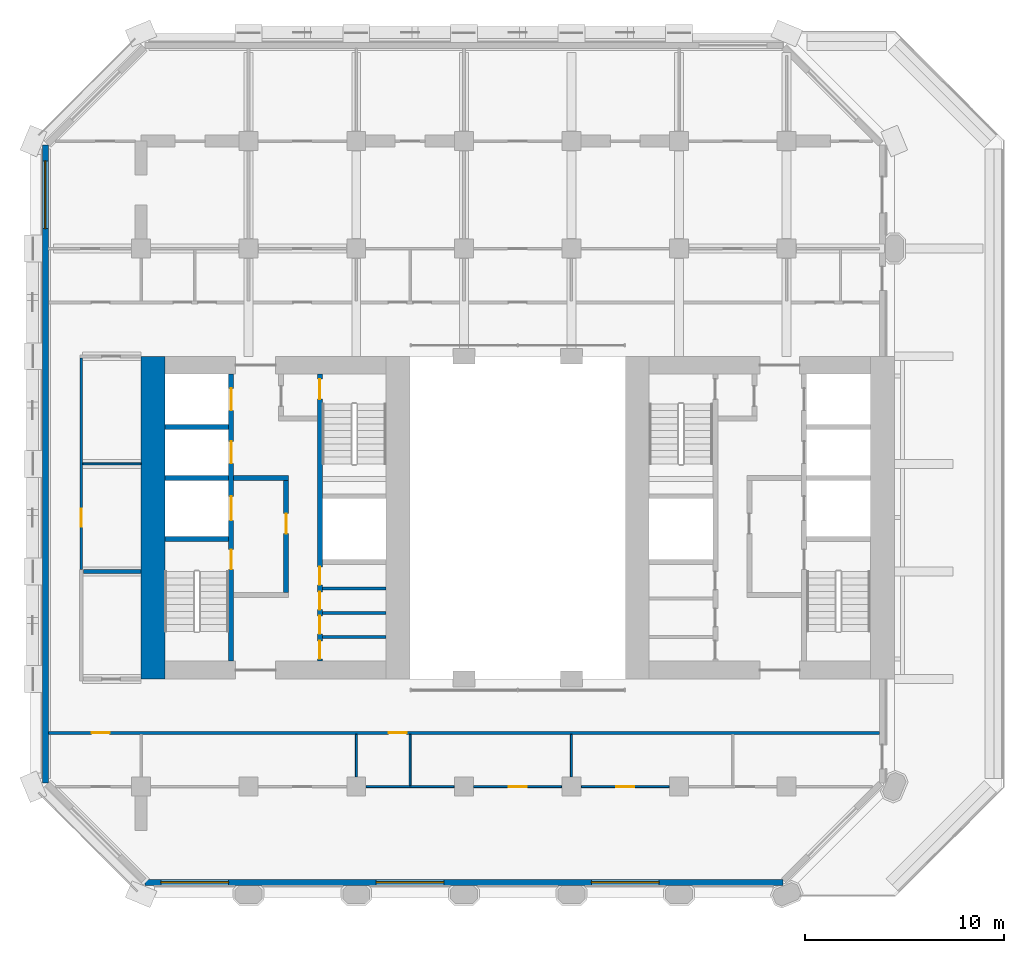
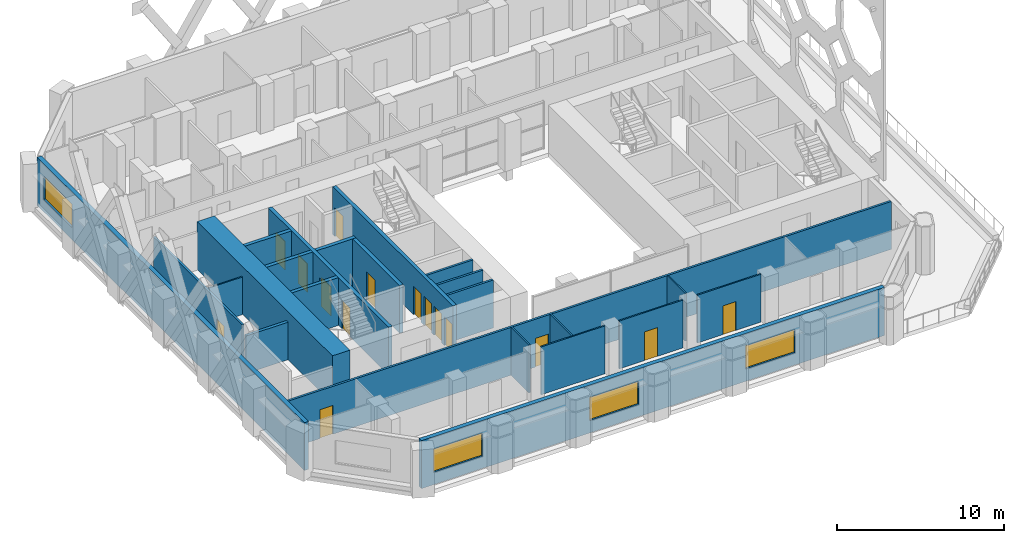
# One storey, part 7 of 14: 23 walls, 15 doors, 4 windows, 19 openings.
"""IFC4 building model written with IfcOpenShell, lengths in metres."""

from ifc_helpers import new_model, si_unit, direction, frame, frame_2d, origin, place, context, subcontext, project, spatial, rectangle, extrude, material, layer, layer_set, type_object, element, fill, save


model = new_model("IFC4")

# Units and contexts
model_context = context("Model", 3, precision=1e-05, world=origin(), true_north=direction((0.0, 1.0)))
body_context = subcontext(model_context, "Body", "Model", "MODEL_VIEW")
ifc_project = project(units=[si_unit("LENGTHUNIT", "METRE"), si_unit("AREAUNIT", "SQUARE_METRE"), si_unit("VOLUMEUNIT", "CUBIC_METRE"), si_unit("PLANEANGLEUNIT", "RADIAN"), si_unit("MASSUNIT", "GRAM", prefix="KILO")], contexts=[model_context])

# Site, building, storey
site_placement = place(None, origin())
site = spatial("IfcSite", under=ifc_project, at=site_placement, CompositionType="ELEMENT")
building_placement = place(site_placement, origin())
building = spatial("IfcBuilding", under=site, at=building_placement, Name="Tabaq Tower and Sports Hall", CompositionType="ELEMENT")
storey_placement = place(building_placement, frame((0.0, 0.0, 95.39990234375)))
storey = spatial("IfcBuildingStorey", under=building, at=storey_placement, Name="L22", CompositionType="ELEMENT", Elevation=95.39990234375)

# Walls
ifc_material_1 = material(Name="Blockwork", Category="masonry")
ifc_layer_1 = layer(ifc_material_1, 0.14990234375)
ifc_layer_set_1 = layer_set([ifc_layer_1], Name="Core room partition 150 Blockwork")
wall_type_1 = type_object("IfcWallType", Name="Core room partition 150 Blockwork", PredefinedType="PARTITIONING", material=ifc_layer_set_1)
for number, where, z_axis, x_axis, name in (
    (1, (14.5, 18.31201171875, 0.0), (0.0, 0.0, 1.0), (1.0, 0.0, 0.0), "Core room partition W L22"),
    (2, (14.5, 19.52490234375, 0.0), (0.0, 0.0, 1.0), (1.0, 0.0, 0.0), "Core room partition W L22"),
    (3, (14.5, 20.737060546875, 0.0), (0.0, 0.0, 1.0), (1.0, 0.0, 0.0), "Core room partition W L22"),
):
    element("IfcWall", number, at=place(storey_placement, frame(where, z_axis=z_axis, x_axis=x_axis)), inside=storey, type_object=wall_type_1, Name=name, PredefinedType="PARTITIONING", context=body_context, shape_type="SweptSolid", body=[
        extrude(rectangle(XDim=3.199951171875, YDim=0.14990234375, at=frame_2d((1.60009765625, 0.0))), origin(), (0.0, 0.0, 1.0), 3.5),
    ])
ifc_material_2 = material(Name="Concrete C60/75", Category="concrete")
ifc_layer_2 = layer(ifc_material_2, 1.199951171875)
ifc_layer_set_2 = layer_set([ifc_layer_2], Name="Core wall 1200 Concrete C60/75")
wall_type_2 = type_object("IfcWallType", Name="Core wall 1200 Concrete C60/75", PredefinedType="SOLIDWALL", material=ifc_layer_set_2)
wall_1_placement = place(storey_placement, frame((6.0, 16.199951171875, 0.0), z_axis=(0.0, 0.0, 1.0), x_axis=(0.0, 1.0, 0.0)))
element("IfcWall", 4, at=wall_1_placement, inside=storey, type_object=wall_type_2, Name="Core wall W L22", PredefinedType="SOLIDWALL", context=body_context, shape_type="SweptSolid", body=[
    extrude(rectangle(XDim=16.199951171875, YDim=1.199951171875, at=frame_2d((8.10009765625, 0.0))), origin(), (0.0, 0.0, 1.0), 3.5),
])
ifc_material_3 = material(Name="Blockwork", Category="masonry")
ifc_layer_3 = layer(ifc_material_3, 0.199951171875)
ifc_layer_set_3 = layer_set([ifc_layer_3], Name="Fire compartment wall 200 Blockwork")
wall_type_3 = type_object("IfcWallType", Name="Fire compartment wall 200 Blockwork", PredefinedType="PARTITIONING", material=ifc_layer_set_3)
wall_2_placement = place(storey_placement, frame((5.39990234375, 21.60009765625, 0.0), z_axis=(0.0, 0.0, 1.0), x_axis=(-1.0, 0.0, 0.0)))
element("IfcWall", 5, at=wall_2_placement, inside=storey, type_object=wall_type_3, Name="Compartment wall L22", PredefinedType="PARTITIONING", context=body_context, shape_type="SweptSolid", body=[
    extrude(rectangle(XDim=2.89990234375, YDim=0.199951171875, at=frame_2d((1.449951171875, 0.0))), origin(), (0.0, 0.0, 1.0), 2.75),
])
ifc_material_4 = material(Name="Gypsum board on steel studs", Category="steel")
ifc_layer_4 = layer(ifc_material_4, 0.10009765625)
ifc_layer_set_4 = layer_set([ifc_layer_4], Name="Partition 100 Gypsum board")
wall_type_4 = type_object("IfcWallType", Name="Partition 100 Gypsum board", PredefinedType="PARTITIONING", material=ifc_layer_set_4)
wall_3_placement = place(storey_placement, frame((16.199951171875, 11.294921875, 0.0), z_axis=(0.0, 0.0, 1.0), x_axis=(0.0, 1.0, 0.0)))
element("IfcWall", 6, at=wall_3_placement, inside=storey, type_object=wall_type_4, Name="Partition wall L22", PredefinedType="PARTITIONING", context=body_context, shape_type="SweptSolid", body=[
    extrude(rectangle(XDim=2.130126953125, YDim=0.10009765625, at=frame_2d((1.06494140625, 0.0))), origin(), (0.0, 0.0, 1.0), 3.5),
])
wall_4_placement = place(storey_placement, frame((18.89990234375, 10.85009765625, 0.0), z_axis=(0.0, 0.0, 1.0), x_axis=(0.0, 1.0, 0.0)))
element("IfcWall", 7, at=wall_4_placement, inside=storey, type_object=wall_type_4, Name="Partition wall L22", PredefinedType="PARTITIONING", context=body_context, shape_type="SweptSolid", body=[
    extrude(rectangle(XDim=2.574951171875, YDim=0.10009765625, at=frame_2d((1.28759765625, 0.0))), origin(), (0.0, 0.0, 1.0), 3.5),
])
wall_5_placement = place(storey_placement, frame((16.695068359375, 10.800048828125, 0.0), z_axis=(0.0, 0.0, 1.0), x_axis=(1.0, 0.0, 0.0)))
element("IfcWall", 8, at=wall_5_placement, inside=storey, type_object=wall_type_4, Name="Partition wall L22", PredefinedType="PARTITIONING", context=body_context, shape_type="SweptSolid", body=[
    extrude(rectangle(XDim=4.409912109375, YDim=0.10009765625, at=frame_2d((2.205078125, 0.0))), origin(), (0.0, 0.0, 1.0), 3.5),
])

# Wall, opening, door
wall_6_placement = place(storey_placement, frame((22.094970703125, 10.800048828125, 0.0), z_axis=(0.0, 0.0, 1.0), x_axis=(1.0, 0.0, 0.0)))
wall_6 = element("IfcWall", 9, at=wall_6_placement, inside=storey, type_object=wall_type_4, Name="Partition wall L22", PredefinedType="PARTITIONING", context=body_context, shape_type="SweptSolid", body=[
    extrude(rectangle(XDim=4.409912109375, YDim=0.10009765625, at=frame_2d((2.205078125, 0.0))), origin(), (0.0, 0.0, 1.0), 3.5),
])
opening_1_placement = place(wall_6_placement, frame((1.7548828125, 0.0, 0.0)))
opening_1 = element("IfcOpeningElement", 10, at=opening_1_placement, cuts=wall_6, Name="Opening L22-018", PredefinedType="OPENING", context=body_context, shape_type="SweptSolid", body=[
    extrude(rectangle(XDim=0.89990234375, YDim=2.10009765625, at=frame_2d((0.449951171875, 1.050048828125))), frame((0.0, 0.050048828125, 0.0), z_axis=(0.0, -1.0, 0.0), x_axis=(1.0, 0.0, 0.0)), (0.0, 0.0, 1.0), 0.10009765625),
])
ifc_material_5 = material(Name="Timber leaf in steel frame", Category="steel")
door_type_1 = type_object("IfcDoorType", Name="Internal door 900 right hand", OperationType="SINGLE_SWING_RIGHT", PredefinedType="DOOR", material=ifc_material_5)
door_1_placement = place(opening_1_placement, origin())
door_1 = element("IfcDoor", 11, at=door_1_placement, inside=storey, type_object=door_type_1, Name="Internal door L22-018", OperationType="SINGLE_SWING_RIGHT", OverallHeight=2.10009765625, OverallWidth=0.89990234375, PredefinedType="DOOR", context=body_context, shape_type="SweptSolid", body=[
    extrude(rectangle(XDim=0.89990234375, YDim=2.10009765625, at=frame_2d((0.449951171875, 1.050048828125))), frame((0.0, 0.02490234375, 0.0), z_axis=(0.0, -1.0, 0.0), x_axis=(1.0, 0.0, 0.0)), (0.0, 0.0, 1.0), 0.050048828125),
])
fill(opening_1, door_1)

# Wall
wall_7_placement = place(storey_placement, frame((27.0, 11.294921875, 0.0), z_axis=(0.0, 0.0, 1.0), x_axis=(0.0, 1.0, 0.0)))
element("IfcWall", 12, at=wall_7_placement, inside=storey, type_object=wall_type_4, Name="Partition wall L22", PredefinedType="PARTITIONING", context=body_context, shape_type="SweptSolid", body=[
    extrude(rectangle(XDim=2.130126953125, YDim=0.10009765625, at=frame_2d((1.06494140625, 0.0))), origin(), (0.0, 0.0, 1.0), 3.5),
])

# Wall, opening, door
wall_8_placement = place(storey_placement, frame((27.4951171875, 10.800048828125, 0.0), z_axis=(0.0, 0.0, 1.0), x_axis=(1.0, 0.0, 0.0)))
wall_8 = element("IfcWall", 13, at=wall_8_placement, inside=storey, type_object=wall_type_4, Name="Partition wall L22", PredefinedType="PARTITIONING", context=body_context, shape_type="SweptSolid", body=[
    extrude(rectangle(XDim=4.409912109375, YDim=0.10009765625, at=frame_2d((2.205078125, 0.0))), origin(), (0.0, 0.0, 1.0), 3.5),
])
opening_2_placement = place(wall_8_placement, frame((1.7548828125, 0.0, 0.0)))
opening_2 = element("IfcOpeningElement", 14, at=opening_2_placement, cuts=wall_8, Name="Opening L22-019", PredefinedType="OPENING", context=body_context, shape_type="SweptSolid", body=[
    extrude(rectangle(XDim=0.89990234375, YDim=2.10009765625, at=frame_2d((0.449951171875, 1.050048828125))), frame((0.0, 0.050048828125, 0.0), z_axis=(0.0, -1.0, 0.0), x_axis=(1.0, 0.0, 0.0)), (0.0, 0.0, 1.0), 0.10009765625),
])
ifc_material_6 = material(Name="Timber leaf in steel frame", Category="steel")
door_type_2 = type_object("IfcDoorType", Name="Internal door 900 left hand", OperationType="SINGLE_SWING_LEFT", PredefinedType="DOOR", material=ifc_material_6)
door_2_placement = place(opening_2_placement, origin())
door_2 = element("IfcDoor", 15, at=door_2_placement, inside=storey, type_object=door_type_2, Name="Internal door L22-019", OperationType="SINGLE_SWING_LEFT", OverallHeight=2.10009765625, OverallWidth=0.89990234375, PredefinedType="DOOR", context=body_context, shape_type="SweptSolid", body=[
    extrude(rectangle(XDim=0.89990234375, YDim=2.10009765625, at=frame_2d((0.449951171875, 1.050048828125))), frame((0.0, 0.02490234375, 0.0), z_axis=(0.0, -1.0, 0.0), x_axis=(1.0, 0.0, 0.0)), (0.0, 0.0, 1.0), 0.050048828125),
])
fill(opening_2, door_2)

# Wall
wall_9_placement = place(storey_placement, frame((5.39990234375, 27.0, 0.0), z_axis=(0.0, 0.0, 1.0), x_axis=(-1.0, 0.0, 0.0)))
element("IfcWall", 16, at=wall_9_placement, inside=storey, type_object=wall_type_4, Name="Partition wall L22", PredefinedType="PARTITIONING", context=body_context, shape_type="SweptSolid", body=[
    extrude(rectangle(XDim=2.9248046875, YDim=0.10009765625, at=frame_2d((1.46240234375, 0.0))), origin(), (0.0, 0.0, 1.0), 2.75),
])

# Wall, opening, door
ifc_material_7 = material(Name="Blockwork", Category="masonry")
ifc_layer_5 = layer(ifc_material_7, 0.14990234375)
ifc_layer_set_5 = layer_set([ifc_layer_5], Name="Separating wall 150 Blockwork")
wall_type_5 = type_object("IfcWallType", Name="Separating wall 150 Blockwork", PredefinedType="PARTITIONING", material=ifc_layer_set_5)
wall_10_placement = place(storey_placement, frame((2.39990234375, 32.324951171875, 0.0), z_axis=(0.0, 0.0, 1.0), x_axis=(0.0, -1.0, 0.0)))
wall_10 = element("IfcWall", 17, at=wall_10_placement, inside=storey, type_object=wall_type_5, Name="Separating wall L22", PredefinedType="PARTITIONING", context=body_context, shape_type="SweptSolid", body=[
    extrude(rectangle(XDim=10.625, YDim=0.14990234375, at=frame_2d((5.3125, 0.0))), origin(), (0.0, 0.0, 1.0), 3.5),
])
opening_3_placement = place(wall_10_placement, frame((7.574951171875, 0.0, 0.0)))
opening_3 = element("IfcOpeningElement", 18, at=opening_3_placement, cuts=wall_10, Name="Opening L22-009", PredefinedType="OPENING", context=body_context, shape_type="SweptSolid", body=[
    extrude(rectangle(XDim=0.89990234375, YDim=2.10009765625, at=frame_2d((0.449951171875, 1.050048828125))), frame((0.0, 0.074951171875, 0.0), z_axis=(0.0, -1.0, 0.0), x_axis=(1.0, 0.0, 0.0)), (0.0, 0.0, 1.0), 0.14990234375),
])
door_3_placement = place(opening_3_placement, origin())
door_3 = element("IfcDoor", 19, at=door_3_placement, inside=storey, type_object=door_type_2, Name="Internal door L22-009", OperationType="SINGLE_SWING_LEFT", OverallHeight=2.10009765625, OverallWidth=0.89990234375, PredefinedType="DOOR", context=body_context, shape_type="SweptSolid", body=[
    extrude(rectangle(XDim=0.89990234375, YDim=2.10009765625, at=frame_2d((0.449951171875, 1.050048828125))), frame((0.0, 0.02490234375, 0.0), z_axis=(0.0, -1.0, 0.0), x_axis=(1.0, 0.0, 0.0)), (0.0, 0.0, 1.0), 0.050048828125),
])
fill(opening_3, door_3)

# Wall, openings, doors
wall_11_placement = place(storey_placement, frame((42.448974609375, 13.5, 0.0), z_axis=(0.0, 0.0, 1.0), x_axis=(-1.0, 0.0, 0.0)))
wall_11 = element("IfcWall", 20, at=wall_11_placement, inside=storey, type_object=wall_type_5, Name="Separating wall L22", PredefinedType="PARTITIONING", context=body_context, shape_type="SweptSolid", body=[
    extrude(rectangle(XDim=41.697998046875, YDim=0.14990234375, at=frame_2d((20.84912109375, 0.0))), origin(), (0.0, 0.0, 1.0), 3.5),
])
opening_4_placement = place(wall_11_placement, frame((23.718994140625, 0.0, 0.0)))
opening_4 = element("IfcOpeningElement", 21, at=opening_4_placement, cuts=wall_11, Name="Opening L22-007", PredefinedType="OPENING", context=body_context, shape_type="SweptSolid", body=[
    extrude(rectangle(XDim=0.89990234375, YDim=2.10009765625, at=frame_2d((0.449951171875, 1.050048828125))), frame((0.0, 0.074951171875, 0.0), z_axis=(0.0, -1.0, 0.0), x_axis=(1.0, 0.0, 0.0)), (0.0, 0.0, 1.0), 0.14990234375),
])
opening_5_placement = place(wall_11_placement, frame((38.6240234375, 0.0, 0.0)))
opening_5 = element("IfcOpeningElement", 22, at=opening_5_placement, cuts=wall_11, Name="Opening L22-024", PredefinedType="OPENING", context=body_context, shape_type="SweptSolid", body=[
    extrude(rectangle(XDim=0.89990234375, YDim=2.10009765625, at=frame_2d((0.449951171875, 1.050048828125))), frame((0.0, 0.074951171875, 0.0), z_axis=(0.0, -1.0, 0.0), x_axis=(1.0, 0.0, 0.0)), (0.0, 0.0, 1.0), 0.14990234375),
])
ifc_material_8 = material(Name="Steel fire door", Category="steel")
door_type_3 = type_object("IfcDoorType", Name="Entrance door 900 left hand", OperationType="SINGLE_SWING_LEFT", PredefinedType="DOOR", material=ifc_material_8)
door_4_placement = place(opening_4_placement, origin())
door_4 = element("IfcDoor", 23, at=door_4_placement, inside=storey, type_object=door_type_3, Name="Entrance door L22-007", OperationType="SINGLE_SWING_LEFT", OverallHeight=2.10009765625, OverallWidth=0.89990234375, PredefinedType="DOOR", context=body_context, shape_type="SweptSolid", body=[
    extrude(rectangle(XDim=0.89990234375, YDim=2.10009765625, at=frame_2d((0.449951171875, 1.050048828125))), frame((0.0, 0.02490234375, 0.0), z_axis=(0.0, -1.0, 0.0), x_axis=(1.0, 0.0, 0.0)), (0.0, 0.0, 1.0), 0.050048828125),
])
fill(opening_4, door_4)
door_5_placement = place(opening_5_placement, origin())
door_5 = element("IfcDoor", 24, at=door_5_placement, inside=storey, type_object=door_type_3, Name="Entrance door L22-024", OperationType="SINGLE_SWING_LEFT", OverallHeight=2.10009765625, OverallWidth=0.89990234375, PredefinedType="DOOR", context=body_context, shape_type="SweptSolid", body=[
    extrude(rectangle(XDim=0.89990234375, YDim=2.10009765625, at=frame_2d((0.449951171875, 1.050048828125))), frame((0.0, 0.02490234375, 0.0), z_axis=(0.0, -1.0, 0.0), x_axis=(1.0, 0.0, 0.0)), (0.0, 0.0, 1.0), 0.050048828125),
])
fill(opening_5, door_5)

ifc_material_9 = material(Name="Concrete C40/50", Category="concrete")
ifc_layer_6 = layer(ifc_material_9, 0.25)
ifc_layer_set_6 = layer_set([ifc_layer_6], Name="Shaft and stair wall 250 Concrete C40/50")
wall_type_6 = type_object("IfcWallType", Name="Shaft and stair wall 250 Concrete C40/50", PredefinedType="SOLIDWALL", material=ifc_layer_set_6)
wall_12_placement = place(storey_placement, frame((9.925048828125, 17.10009765625, 0.0), z_axis=(0.0, 0.0, 1.0), x_axis=(0.0, 1.0, 0.0)))
wall_12 = element("IfcWall", 25, at=wall_12_placement, inside=storey, type_object=wall_type_6, Name="Shaft wall W L22", PredefinedType="SOLIDWALL", context=body_context, shape_type="SweptSolid", body=[
    extrude(rectangle(XDim=14.39990234375, YDim=0.25, at=frame_2d((7.199951171875, 0.0))), origin(), (0.0, 0.0, 1.0), 3.5),
])
opening_6_placement = place(wall_12_placement, frame((4.60009765625, 0.0, 0.0)))
opening_6 = element("IfcOpeningElement", 26, at=opening_6_placement, cuts=wall_12, Name="Opening SD-WL22-03", PredefinedType="OPENING", context=body_context, shape_type="SweptSolid", body=[
    extrude(rectangle(XDim=1.0, YDim=2.10009765625, at=frame_2d((0.5, 1.050048828125))), frame((0.0, 0.125, 0.0), z_axis=(0.0, -1.0, 0.0), x_axis=(1.0, 0.0, 0.0)), (0.0, 0.0, 1.0), 0.25),
])
opening_7_placement = place(wall_12_placement, frame((7.0625, 0.0, 0.0)))
opening_7 = element("IfcOpeningElement", 27, at=opening_7_placement, cuts=wall_12, Name="Opening LD-FF1-L22", PredefinedType="OPENING", context=body_context, shape_type="SweptSolid", body=[
    extrude(rectangle(XDim=1.199951171875, YDim=2.10009765625, at=frame_2d((0.60009765625, 1.050048828125))), frame((0.0, 0.125, 0.0), z_axis=(0.0, -1.0, 0.0), x_axis=(1.0, 0.0, 0.0)), (0.0, 0.0, 1.0), 0.25),
])
opening_8_placement = place(wall_12_placement, frame((9.925048828125, 0.0, 0.0)))
opening_8 = element("IfcOpeningElement", 28, at=opening_8_placement, cuts=wall_12, Name="Opening LD-LR1-L22", PredefinedType="OPENING", context=body_context, shape_type="SweptSolid", body=[
    extrude(rectangle(XDim=1.10009765625, YDim=2.10009765625, at=frame_2d((0.550048828125, 1.050048828125))), frame((0.0, 0.125, 0.0), z_axis=(0.0, -1.0, 0.0), x_axis=(1.0, 0.0, 0.0)), (0.0, 0.0, 1.0), 0.25),
])
opening_9_placement = place(wall_12_placement, frame((12.58740234375, 0.0, 0.0)))
opening_9 = element("IfcOpeningElement", 29, at=opening_9_placement, cuts=wall_12, Name="Opening LD-LR2-L22", PredefinedType="OPENING", context=body_context, shape_type="SweptSolid", body=[
    extrude(rectangle(XDim=1.10009765625, YDim=2.10009765625, at=frame_2d((0.550048828125, 1.050048828125))), frame((0.0, 0.125, 0.0), z_axis=(0.0, -1.0, 0.0), x_axis=(1.0, 0.0, 0.0)), (0.0, 0.0, 1.0), 0.25),
])
ifc_material_10 = material(Name="Stainless steel", Category="steel")
door_type_4 = type_object("IfcDoorType", Name="Lift landing door 1100", OperationType="DOUBLE_DOOR_SLIDING", PredefinedType="DOOR", material=ifc_material_10)
door_6_placement = place(opening_8_placement, origin())
door_6 = element("IfcDoor", 30, at=door_6_placement, inside=storey, type_object=door_type_4, Name="Lift landing door LR1 W L22", OperationType="DOUBLE_DOOR_SLIDING", OverallHeight=2.10009765625, OverallWidth=1.10009765625, PredefinedType="DOOR", context=body_context, shape_type="SweptSolid", body=[
    extrude(rectangle(XDim=1.10009765625, YDim=2.10009765625, at=frame_2d((0.550048828125, 1.050048828125))), frame((0.0, 0.02490234375, 0.0), z_axis=(0.0, -1.0, 0.0), x_axis=(1.0, 0.0, 0.0)), (0.0, 0.0, 1.0), 0.050048828125),
])
fill(opening_8, door_6)
door_7_placement = place(opening_9_placement, origin())
door_7 = element("IfcDoor", 31, at=door_7_placement, inside=storey, type_object=door_type_4, Name="Lift landing door LR2 W L22", OperationType="DOUBLE_DOOR_SLIDING", OverallHeight=2.10009765625, OverallWidth=1.10009765625, PredefinedType="DOOR", context=body_context, shape_type="SweptSolid", body=[
    extrude(rectangle(XDim=1.10009765625, YDim=2.10009765625, at=frame_2d((0.550048828125, 1.050048828125))), frame((0.0, 0.02490234375, 0.0), z_axis=(0.0, -1.0, 0.0), x_axis=(1.0, 0.0, 0.0)), (0.0, 0.0, 1.0), 0.050048828125),
])
fill(opening_9, door_7)
ifc_material_11 = material(Name="Stainless steel", Category="steel")
door_type_5 = type_object("IfcDoorType", Name="Lift landing door 1200", OperationType="DOUBLE_DOOR_SLIDING", PredefinedType="DOOR", material=ifc_material_11)
door_8_placement = place(opening_7_placement, origin())
door_8 = element("IfcDoor", 32, at=door_8_placement, inside=storey, type_object=door_type_5, Name="Lift landing door FF1 W L22", OperationType="DOUBLE_DOOR_SLIDING", OverallHeight=2.10009765625, OverallWidth=1.199951171875, PredefinedType="DOOR", context=body_context, shape_type="SweptSolid", body=[
    extrude(rectangle(XDim=1.199951171875, YDim=2.10009765625, at=frame_2d((0.60009765625, 1.050048828125))), frame((0.0, 0.02490234375, 0.0), z_axis=(0.0, -1.0, 0.0), x_axis=(1.0, 0.0, 0.0)), (0.0, 0.0, 1.0), 0.050048828125),
])
fill(opening_7, door_8)
ifc_material_12 = material(Name="Steel fire door", Category="steel")
door_type_6 = type_object("IfcDoorType", Name="Stair door 1000", OperationType="SINGLE_SWING_LEFT", PredefinedType="DOOR", material=ifc_material_12)
door_9_placement = place(opening_6_placement, origin())
door_9 = element("IfcDoor", 33, at=door_9_placement, inside=storey, type_object=door_type_6, Name="Stair door ST1 W L22", OperationType="SINGLE_SWING_LEFT", OverallHeight=2.10009765625, OverallWidth=1.0, PredefinedType="DOOR", context=body_context, shape_type="SweptSolid", body=[
    extrude(rectangle(XDim=1.0, YDim=2.10009765625, at=frame_2d((0.5, 1.050048828125))), frame((0.0, 0.02490234375, 0.0), z_axis=(0.0, -1.0, 0.0), x_axis=(1.0, 0.0, 0.0)), (0.0, 0.0, 1.0), 0.050048828125),
])
fill(opening_6, door_9)

wall_13_placement = place(storey_placement, frame((14.375, 17.10009765625, 0.0), z_axis=(0.0, 0.0, 1.0), x_axis=(0.0, 1.0, 0.0)))
wall_13 = element("IfcWall", 34, at=wall_13_placement, inside=storey, type_object=wall_type_6, Name="Shaft wall W L22", PredefinedType="SOLIDWALL", context=body_context, shape_type="SweptSolid", body=[
    extrude(rectangle(XDim=14.39990234375, YDim=0.25, at=frame_2d((7.199951171875, 0.0))), origin(), (0.0, 0.0, 1.0), 3.5),
])
opening_10_placement = place(wall_13_placement, frame((13.14990234375, 0.0, 0.0)))
opening_10 = element("IfcOpeningElement", 35, at=opening_10_placement, cuts=wall_13, Name="Opening SD-WL22-05", PredefinedType="OPENING", context=body_context, shape_type="SweptSolid", body=[
    extrude(rectangle(XDim=1.0, YDim=2.10009765625, at=frame_2d((0.5, 1.050048828125))), frame((0.0, 0.125, 0.0), z_axis=(0.0, -1.0, 0.0), x_axis=(1.0, 0.0, 0.0)), (0.0, 0.0, 1.0), 0.25),
])
opening_11_placement = place(wall_13_placement, frame((0.118408203125, 0.0, 0.0)))
opening_11 = element("IfcOpeningElement", 36, at=opening_11_placement, cuts=wall_13, Name="Opening RD-WL22-10", PredefinedType="OPENING", context=body_context, shape_type="SweptSolid", body=[
    extrude(rectangle(XDim=0.89990234375, YDim=2.10009765625, at=frame_2d((0.449951171875, 1.050048828125))), frame((0.0, 0.125, 0.0), z_axis=(0.0, -1.0, 0.0), x_axis=(1.0, 0.0, 0.0)), (0.0, 0.0, 1.0), 0.25),
])
opening_12_placement = place(wall_13_placement, frame((1.368408203125, 0.0, 0.0)))
opening_12 = element("IfcOpeningElement", 37, at=opening_12_placement, cuts=wall_13, Name="Opening RD-WL22-11", PredefinedType="OPENING", context=body_context, shape_type="SweptSolid", body=[
    extrude(rectangle(XDim=0.89990234375, YDim=2.10009765625, at=frame_2d((0.449951171875, 1.050048828125))), frame((0.0, 0.125, 0.0), z_axis=(0.0, -1.0, 0.0), x_axis=(1.0, 0.0, 0.0)), (0.0, 0.0, 1.0), 0.25),
])
opening_13_placement = place(wall_13_placement, frame((2.5810546875, 0.0, 0.0)))
opening_13 = element("IfcOpeningElement", 38, at=opening_13_placement, cuts=wall_13, Name="Opening RD-WL22-12", PredefinedType="OPENING", context=body_context, shape_type="SweptSolid", body=[
    extrude(rectangle(XDim=0.89990234375, YDim=2.10009765625, at=frame_2d((0.449951171875, 1.050048828125))), frame((0.0, 0.125, 0.0), z_axis=(0.0, -1.0, 0.0), x_axis=(1.0, 0.0, 0.0)), (0.0, 0.0, 1.0), 0.25),
])
opening_14_placement = place(wall_13_placement, frame((3.8310546875, 0.0, 0.0)))
opening_14 = element("IfcOpeningElement", 39, at=opening_14_placement, cuts=wall_13, Name="Opening RD-WL22-13", PredefinedType="OPENING", context=body_context, shape_type="SweptSolid", body=[
    extrude(rectangle(XDim=0.89990234375, YDim=2.10009765625, at=frame_2d((0.449951171875, 1.050048828125))), frame((0.0, 0.125, 0.0), z_axis=(0.0, -1.0, 0.0), x_axis=(1.0, 0.0, 0.0)), (0.0, 0.0, 1.0), 0.25),
])
ifc_material_13 = material(Name="Steel fire door", Category="steel")
door_type_7 = type_object("IfcDoorType", Name="Core room door 900", OperationType="SINGLE_SWING_LEFT", PredefinedType="DOOR", material=ifc_material_13)
door_10_placement = place(opening_11_placement, origin())
door_10 = element("IfcDoor", 40, at=door_10_placement, inside=storey, type_object=door_type_7, Name="Door Cleaner's Store W L22", OperationType="SINGLE_SWING_LEFT", OverallHeight=2.10009765625, OverallWidth=0.89990234375, PredefinedType="DOOR", context=body_context, shape_type="SweptSolid", body=[
    extrude(rectangle(XDim=0.89990234375, YDim=2.10009765625, at=frame_2d((0.449951171875, 1.050048828125))), frame((0.0, 0.02490234375, 0.0), z_axis=(0.0, -1.0, 0.0), x_axis=(1.0, 0.0, 0.0)), (0.0, 0.0, 1.0), 0.050048828125),
])
fill(opening_11, door_10)
door_11_placement = place(opening_12_placement, origin())
door_11 = element("IfcDoor", 41, at=door_11_placement, inside=storey, type_object=door_type_7, Name="Door Gents WC W L22", OperationType="SINGLE_SWING_LEFT", OverallHeight=2.10009765625, OverallWidth=0.89990234375, PredefinedType="DOOR", context=body_context, shape_type="SweptSolid", body=[
    extrude(rectangle(XDim=0.89990234375, YDim=2.10009765625, at=frame_2d((0.449951171875, 1.050048828125))), frame((0.0, 0.02490234375, 0.0), z_axis=(0.0, -1.0, 0.0), x_axis=(1.0, 0.0, 0.0)), (0.0, 0.0, 1.0), 0.050048828125),
])
fill(opening_12, door_11)
door_12_placement = place(opening_13_placement, origin())
door_12 = element("IfcDoor", 42, at=door_12_placement, inside=storey, type_object=door_type_7, Name="Door Ladies WC W L22", OperationType="SINGLE_SWING_LEFT", OverallHeight=2.10009765625, OverallWidth=0.89990234375, PredefinedType="DOOR", context=body_context, shape_type="SweptSolid", body=[
    extrude(rectangle(XDim=0.89990234375, YDim=2.10009765625, at=frame_2d((0.449951171875, 1.050048828125))), frame((0.0, 0.02490234375, 0.0), z_axis=(0.0, -1.0, 0.0), x_axis=(1.0, 0.0, 0.0)), (0.0, 0.0, 1.0), 0.050048828125),
])
fill(opening_13, door_12)
door_13_placement = place(opening_14_placement, origin())
door_13 = element("IfcDoor", 43, at=door_13_placement, inside=storey, type_object=door_type_7, Name="Door Accessible WC W L22", OperationType="SINGLE_SWING_LEFT", OverallHeight=2.10009765625, OverallWidth=0.89990234375, PredefinedType="DOOR", context=body_context, shape_type="SweptSolid", body=[
    extrude(rectangle(XDim=0.89990234375, YDim=2.10009765625, at=frame_2d((0.449951171875, 1.050048828125))), frame((0.0, 0.02490234375, 0.0), z_axis=(0.0, -1.0, 0.0), x_axis=(1.0, 0.0, 0.0)), (0.0, 0.0, 1.0), 0.050048828125),
])
fill(opening_14, door_13)
door_14_placement = place(opening_10_placement, origin())
door_14 = element("IfcDoor", 44, at=door_14_placement, inside=storey, type_object=door_type_6, Name="Stair door ST2 W L22", OperationType="SINGLE_SWING_LEFT", OverallHeight=2.10009765625, OverallWidth=1.0, PredefinedType="DOOR", context=body_context, shape_type="SweptSolid", body=[
    extrude(rectangle(XDim=1.0, YDim=2.10009765625, at=frame_2d((0.5, 1.050048828125))), frame((0.0, 0.02490234375, 0.0), z_axis=(0.0, -1.0, 0.0), x_axis=(1.0, 0.0, 0.0)), (0.0, 0.0, 1.0), 0.050048828125),
])
fill(opening_10, door_14)

# Walls
for number, where, z_axis, x_axis, name in (
    (45, (6.60009765625, 23.22509765625, 0.0), (0.0, 0.0, 1.0), (1.0, 0.0, 0.0), "Stair enclosure wall W L22"),
    (46, (6.60009765625, 26.300048828125, 0.0), (0.0, 0.0, 1.0), (1.0, 0.0, 0.0), "Shaft wall W L22"),
):
    element("IfcWall", number, at=place(storey_placement, frame(where, z_axis=z_axis, x_axis=x_axis)), inside=storey, type_object=wall_type_6, Name=name, PredefinedType="SOLIDWALL", context=body_context, shape_type="SweptSolid", body=[
        extrude(rectangle(XDim=3.199951171875, YDim=0.25, at=frame_2d((1.60009765625, 0.0))), origin(), (0.0, 0.0, 1.0), 3.5),
    ])
wall_14_placement = place(storey_placement, frame((10.050048828125, 26.300048828125, 0.0), z_axis=(0.0, 0.0, 1.0), x_axis=(1.0, 0.0, 0.0)))
element("IfcWall", 47, at=wall_14_placement, inside=storey, type_object=wall_type_6, Name="Fire-fighting lobby wall W L22", PredefinedType="SOLIDWALL", context=body_context, shape_type="SweptSolid", body=[
    extrude(rectangle(XDim=2.75, YDim=0.25, at=frame_2d((1.375, 0.0))), origin(), (0.0, 0.0, 1.0), 3.5),
])

# Wall, opening, door
wall_15_placement = place(storey_placement, frame((12.675048828125, 20.550048828125, 0.0), z_axis=(0.0, 0.0, 1.0), x_axis=(0.0, 1.0, 0.0)))
wall_15 = element("IfcWall", 48, at=wall_15_placement, inside=storey, type_object=wall_type_6, Name="Fire-fighting lobby wall W L22", PredefinedType="SOLIDWALL", context=body_context, shape_type="SweptSolid", body=[
    extrude(rectangle(XDim=5.625, YDim=0.25, at=frame_2d((2.8125, 0.0))), origin(), (0.0, 0.0, 1.0), 3.5),
])
opening_15_placement = place(wall_15_placement, frame((2.949951171875, 0.0, 0.0)))
opening_15 = element("IfcOpeningElement", 49, at=opening_15_placement, cuts=wall_15, Name="Opening FD-WL22-04", PredefinedType="OPENING", context=body_context, shape_type="SweptSolid", body=[
    extrude(rectangle(XDim=1.0, YDim=2.10009765625, at=frame_2d((0.5, 1.050048828125))), frame((0.0, 0.125, 0.0), z_axis=(0.0, -1.0, 0.0), x_axis=(1.0, 0.0, 0.0)), (0.0, 0.0, 1.0), 0.25),
])
ifc_material_14 = material(Name="Steel fire door", Category="steel")
door_type_8 = type_object("IfcDoorType", Name="Fire-fighting lobby door 1000", OperationType="SINGLE_SWING_LEFT", PredefinedType="DOOR", material=ifc_material_14)
door_15_placement = place(opening_15_placement, origin())
door_15 = element("IfcDoor", 50, at=door_15_placement, inside=storey, type_object=door_type_8, Name="Fire-fighting lobby door W L22", OperationType="SINGLE_SWING_LEFT", OverallHeight=2.10009765625, OverallWidth=1.0, PredefinedType="DOOR", context=body_context, shape_type="SweptSolid", body=[
    extrude(rectangle(XDim=1.0, YDim=2.10009765625, at=frame_2d((0.5, 1.050048828125))), frame((0.0, 0.02490234375, 0.0), z_axis=(0.0, -1.0, 0.0), x_axis=(1.0, 0.0, 0.0)), (0.0, 0.0, 1.0), 0.050048828125),
])
fill(opening_15, door_15)

# Wall
wall_16_placement = place(storey_placement, frame((6.60009765625, 28.85009765625, 0.0), z_axis=(0.0, 0.0, 1.0), x_axis=(1.0, 0.0, 0.0)))
element("IfcWall", 51, at=wall_16_placement, inside=storey, type_object=wall_type_6, Name="Shaft wall W L22", PredefinedType="SOLIDWALL", context=body_context, shape_type="SweptSolid", body=[
    extrude(rectangle(XDim=3.199951171875, YDim=0.25, at=frame_2d((1.60009765625, 0.0))), origin(), (0.0, 0.0, 1.0), 3.5),
])

# Wall, openings, windows
ifc_material_15 = material(Name="White precast concrete C60/75", Category="concrete")
ifc_layer_7 = layer(ifc_material_15, 0.300048828125)
ifc_layer_set_7 = layer_set([ifc_layer_7], Name="White precast concrete C60/75 external wall 300")
wall_type_7 = type_object("IfcWallType", Name="White precast concrete C60/75 external wall 300", PredefinedType="SOLIDWALL", material=ifc_layer_set_7)
wall_17_placement = place(storey_placement, frame((5.58642578125, 6.0, 0.0), z_axis=(0.0, 0.0, 1.0), x_axis=(1.0, 0.0, 0.0)))
wall_17 = element("IfcWall", 52, at=wall_17_placement, inside=storey, type_object=wall_type_7, Name="External Wall L22 S", PredefinedType="SOLIDWALL", context=body_context, shape_type="SweptSolid", body=[
    extrude(rectangle(XDim=32.027099609375, YDim=0.300048828125, at=frame_2d((16.013671875, 0.0))), origin(), (0.0, 0.0, 1.0), 3.5),
])
opening_16_placement = place(wall_17_placement, frame((0.813720703125, 0.0, 0.89990234375)))
opening_16 = element("IfcOpeningElement", 53, at=opening_16_placement, cuts=wall_17, Name="Opening W1A", PredefinedType="OPENING", context=body_context, shape_type="SweptSolid", body=[
    extrude(rectangle(XDim=3.39990234375, YDim=1.699951171875, at=frame_2d((1.699951171875, 0.85009765625))), frame((0.0, 0.16015625, 0.0), z_axis=(0.0, -1.0, 0.0), x_axis=(1.0, 0.0, 0.0)), (0.0, 0.0, 1.0), 0.320068359375),
])
opening_17_placement = place(wall_17_placement, frame((11.613525390625, 0.0, 0.89990234375)))
opening_17 = element("IfcOpeningElement", 54, at=opening_17_placement, cuts=wall_17, Name="Opening W1A", PredefinedType="OPENING", context=body_context, shape_type="SweptSolid", body=[
    extrude(rectangle(XDim=3.39990234375, YDim=1.699951171875, at=frame_2d((1.699951171875, 0.85009765625))), frame((0.0, 0.16015625, 0.0), z_axis=(0.0, -1.0, 0.0), x_axis=(1.0, 0.0, 0.0)), (0.0, 0.0, 1.0), 0.320068359375),
])
opening_18_placement = place(wall_17_placement, frame((22.41357421875, 0.0, 0.89990234375)))
opening_18 = element("IfcOpeningElement", 55, at=opening_18_placement, cuts=wall_17, Name="Opening W1A", PredefinedType="OPENING", context=body_context, shape_type="SweptSolid", body=[
    extrude(rectangle(XDim=3.39990234375, YDim=1.699951171875, at=frame_2d((1.699951171875, 0.85009765625))), frame((0.0, 0.16015625, 0.0), z_axis=(0.0, -1.0, 0.0), x_axis=(1.0, 0.0, 0.0)), (0.0, 0.0, 1.0), 0.320068359375),
])
ifc_material_16 = material(Name="Aluminium framed clear glazing", Category="aluminium")
window_type = type_object("IfcWindowType", Name="Window W1A", PartitioningType="SINGLE_PANEL", PredefinedType="WINDOW", material=ifc_material_16)
window_1_placement = place(opening_16_placement, origin())
window_1 = element("IfcWindow", 56, at=window_1_placement, inside=storey, type_object=window_type, Name="Window W1A L22", OverallHeight=1.699951171875, OverallWidth=3.39990234375, PartitioningType="SINGLE_PANEL", PredefinedType="WINDOW", context=body_context, shape_type="SweptSolid", body=[
    extrude(rectangle(XDim=3.39990234375, YDim=1.699951171875, at=frame_2d((1.699951171875, 0.85009765625))), frame((0.0, 0.030029296875, 0.0), z_axis=(0.0, -1.0, 0.0), x_axis=(1.0, 0.0, 0.0)), (0.0, 0.0, 1.0), 0.06005859375),
])
fill(opening_16, window_1)
window_2_placement = place(opening_17_placement, origin())
window_2 = element("IfcWindow", 57, at=window_2_placement, inside=storey, type_object=window_type, Name="Window W1A L22", OverallHeight=1.699951171875, OverallWidth=3.39990234375, PartitioningType="SINGLE_PANEL", PredefinedType="WINDOW", context=body_context, shape_type="SweptSolid", body=[
    extrude(rectangle(XDim=3.39990234375, YDim=1.699951171875, at=frame_2d((1.699951171875, 0.85009765625))), frame((0.0, 0.030029296875, 0.0), z_axis=(0.0, -1.0, 0.0), x_axis=(1.0, 0.0, 0.0)), (0.0, 0.0, 1.0), 0.06005859375),
])
fill(opening_17, window_2)
window_3_placement = place(opening_18_placement, origin())
window_3 = element("IfcWindow", 58, at=window_3_placement, inside=storey, type_object=window_type, Name="Window W1A L22", OverallHeight=1.699951171875, OverallWidth=3.39990234375, PartitioningType="SINGLE_PANEL", PredefinedType="WINDOW", context=body_context, shape_type="SweptSolid", body=[
    extrude(rectangle(XDim=3.39990234375, YDim=1.699951171875, at=frame_2d((1.699951171875, 0.85009765625))), frame((0.0, 0.030029296875, 0.0), z_axis=(0.0, -1.0, 0.0), x_axis=(1.0, 0.0, 0.0)), (0.0, 0.0, 1.0), 0.06005859375),
])
fill(opening_18, window_3)

# Wall, opening, window
wall_18_placement = place(storey_placement, frame((0.60009765625, 43.013671875, 0.0), z_axis=(0.0, 0.0, 1.0), x_axis=(0.0, -1.0, 0.0)))
wall_18 = element("IfcWall", 59, at=wall_18_placement, inside=storey, type_object=wall_type_7, Name="External Wall L22 W", PredefinedType="SOLIDWALL", context=body_context, shape_type="SweptSolid", body=[
    extrude(rectangle(XDim=32.02734375, YDim=0.300048828125, at=frame_2d((16.013671875, 0.0))), origin(), (0.0, 0.0, 1.0), 3.5),
])
opening_19_placement = place(wall_18_placement, frame((0.813720703125, 0.0, 0.89990234375)))
opening_19 = element("IfcOpeningElement", 60, at=opening_19_placement, cuts=wall_18, Name="Opening W1A", PredefinedType="OPENING", context=body_context, shape_type="SweptSolid", body=[
    extrude(rectangle(XDim=3.39990234375, YDim=1.699951171875, at=frame_2d((1.699951171875, 0.85009765625))), frame((0.0, 0.16015625, 0.0), z_axis=(0.0, -1.0, 0.0), x_axis=(1.0, 0.0, 0.0)), (0.0, 0.0, 1.0), 0.320068359375),
])
window_4_placement = place(opening_19_placement, origin())
window_4 = element("IfcWindow", 61, at=window_4_placement, inside=storey, type_object=window_type, Name="Window W1A L22", OverallHeight=1.699951171875, OverallWidth=3.39990234375, PartitioningType="SINGLE_PANEL", PredefinedType="WINDOW", context=body_context, shape_type="SweptSolid", body=[
    extrude(rectangle(XDim=3.39990234375, YDim=1.699951171875, at=frame_2d((1.699951171875, 0.85009765625))), frame((0.0, 0.030029296875, 0.0), z_axis=(0.0, -1.0, 0.0), x_axis=(1.0, 0.0, 0.0)), (0.0, 0.0, 1.0), 0.06005859375),
])
fill(opening_19, window_4)

save(model, "model.ifc")
